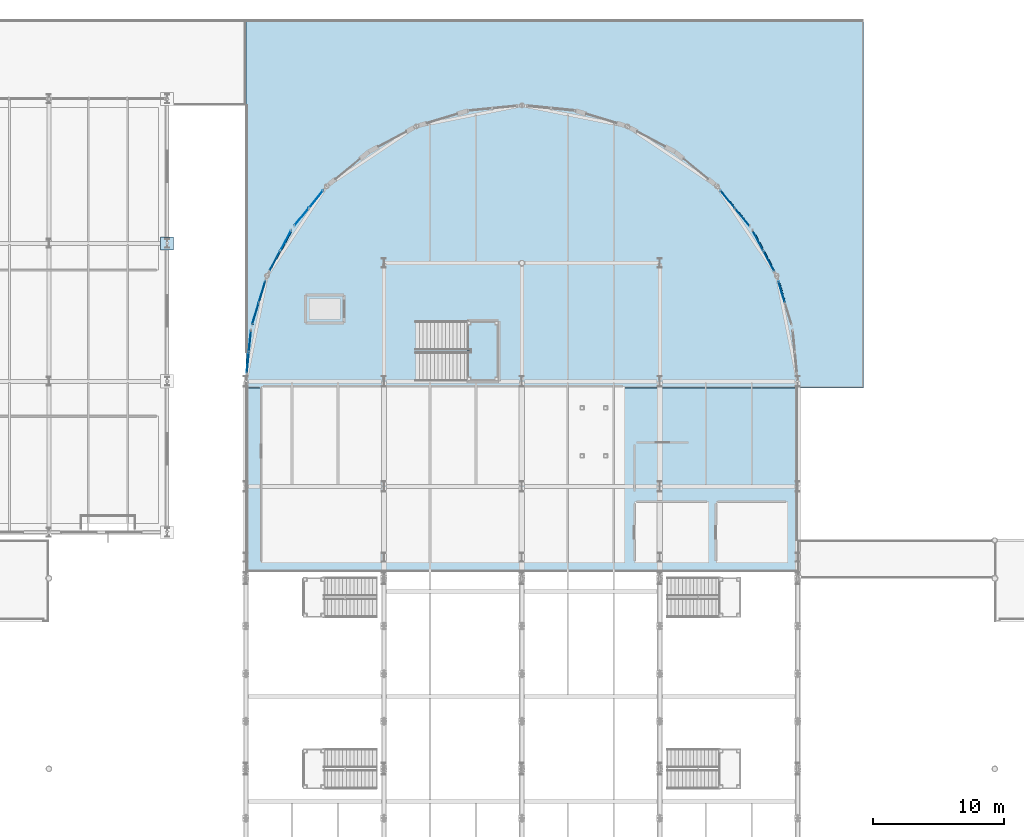
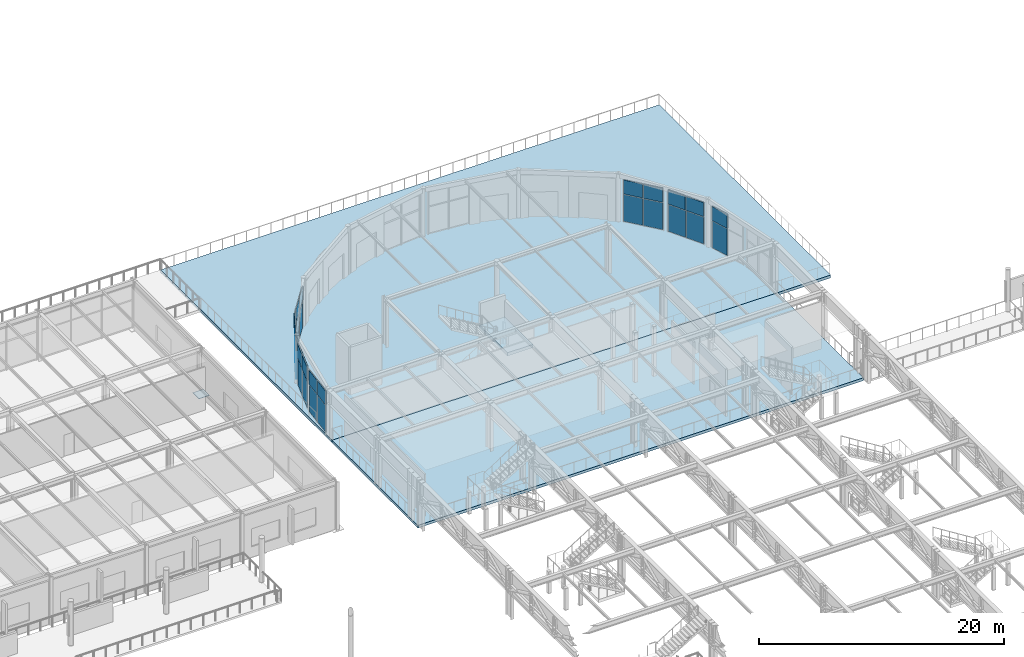
# One storey, part 74 of 143: 27 plates, 3 slabs, 8 elements without a shape of their own.
"""IFC4 building model written with IfcOpenShell, lengths in metres."""

from ifc_helpers import new_model, si_unit, direction, frame, origin, origin_2d, place, context, subcontext, project, spatial, polyline, rectangle, outline, extrude, material, layer, layer_set, type_object, element, aggregate, save


model = new_model("IFC4")

# Units and contexts
model_context = context("Model", 3, precision=1e-05, world=origin(), true_north=direction((0.0, 1.0)))
body_context = subcontext(model_context, "Body", "Model", "MODEL_VIEW")
ifc_project = project(units=[si_unit("LENGTHUNIT", "METRE"), si_unit("AREAUNIT", "SQUARE_METRE"), si_unit("VOLUMEUNIT", "CUBIC_METRE"), si_unit("PLANEANGLEUNIT", "RADIAN"), si_unit("MASSUNIT", "GRAM", prefix="KILO")], contexts=[model_context])

# Site, building, storey
site_placement = place(None, origin())
site = spatial("IfcSite", under=ifc_project, at=site_placement, CompositionType="ELEMENT")
building_placement = place(site_placement, origin())
building = spatial("IfcBuilding", under=site, at=building_placement, Name="Marlcrest Central Station", CompositionType="ELEMENT")
storey_placement = place(building_placement, frame((0.0, 0.0, 4.800048828125)))
storey = spatial("IfcBuildingStorey", under=building, at=storey_placement, Name="L01", CompositionType="ELEMENT", Elevation=4.800048828125)

# Plate
ifc_material_1 = material(Name="Steel S355", Category="steel")
ifc_layer_1 = layer(ifc_material_1, 0.0380859375, Name="BPL-02")
ifc_layer_set_1 = layer_set([ifc_layer_1], Name="Steel S355")
plate_type_1 = type_object("IfcPlateType", Name="BPL-02", PredefinedType="USERDEFINED", material=ifc_layer_set_1)
plate_1_placement = place(storey_placement, frame((81.0, 121.0, 0.0), z_axis=(0.0, 0.0, 1.0), x_axis=(1.0, 0.0, 0.0)))
element("IfcPlate", 1, at=plate_1_placement, inside=storey, type_object=plate_type_1, Name="plt-bp-00042", ObjectType="BASE_PLATE", PredefinedType="USERDEFINED", context=body_context, shape_type="SweptSolid", body=[
    extrude(rectangle(XDim=1.0, YDim=1.0, at=origin_2d()), origin(), (0.0, 0.0, 1.0), 0.0380859375),
])

# Slabs
ifc_material_2 = material(Name="Concrete C35/45", Category="concrete")
ifc_layer_2 = layer(ifc_material_2, 0.27490234375, Name="BS-04")
ifc_layer_set_2 = layer_set([ifc_layer_2], Name="Concrete C35/45")
slab_type_1 = type_object("IfcSlabType", Name="BS-04", PredefinedType="BASESLAB", material=ifc_layer_set_2)
slab_1_placement = place(storey_placement, frame((0.0, 0.0, -0.275146484375)))
element("IfcSlab", 2, at=slab_1_placement, inside=storey, type_object=slab_type_1, Name="slab-L01-0024", PredefinedType="BASESLAB", context=body_context, shape_type="SweptSolid", body=[
    extrude(outline(polyline([(134.0, 138.0), (134.0, 110.0), (87.0, 110.0), (87.0, 138.0), (134.0, 138.0)])), origin(), (0.0, 0.0, 1.0), 0.275146484375),
])
slab_2_placement = place(storey_placement, frame((0.0, 0.0, -0.275146484375)))
element("IfcSlab", 3, at=slab_2_placement, inside=storey, type_object=slab_type_1, Name="slab-L01-0094", PredefinedType="BASESLAB", context=body_context, shape_type="SweptSolid", body=[
    extrude(outline(polyline([(87.0, 96.0), (87.0, 110.0), (129.0, 110.0), (129.0, 96.0), (87.0, 96.0)])), origin(), (0.0, 0.0, 1.0), 0.275146484375),
])

# Curtain wall, plates
ifc_material_3 = material(Name="Anodised aluminium and hurricane laminated glass", Category="aluminium")
ifc_layer_3 = layer(ifc_material_3, 0.219970703125, Name="CW-U1")
ifc_layer_set_3 = layer_set([ifc_layer_3], Name="Anodised aluminium and hurricane laminated glass")
curtain_wall_type = type_object("IfcCurtainWallType", Name="CW-U1", PredefinedType="USERDEFINED", material=ifc_layer_set_3)
curtain_wall_1_placement = place(storey_placement, origin())
curtain_wall_1 = element("IfcCurtainWall", 4, at=curtain_wall_1_placement, inside=storey, type_object=curtain_wall_type, Name="cw-L01-0057", ObjectType="UNITISED_CURTAIN_WALL", PredefinedType="USERDEFINED")
ifc_material_4 = material(Name="Hurricane laminated solar-control glass", Category="glass")
ifc_layer_4 = layer(ifc_material_4, 0.031982421875, Name="CP-01")
ifc_layer_set_4 = layer_set([ifc_layer_4], Name="Hurricane laminated solar-control glass")
plate_type_2 = type_object("IfcPlateType", Name="CP-01", PredefinedType="CURTAIN_PANEL", material=ifc_layer_set_4)
plate_2_placement = place(storey_placement, frame((87.14013671875, 111.92138671875, 0.080078125), z_axis=(0.0, 0.0, 1.0), x_axis=(0.098138724349, 0.995172744192, 0.0)))
plate_2 = element("IfcPlate", 5, at=plate_2_placement, type_object=plate_type_2, Name="cw-L01-0057-cp-lo-0", PredefinedType="CURTAIN_PANEL", context=body_context, shape_type="SweptSolid", body=[
    extrude(rectangle(XDim=1.5791015625, YDim=0.031982421875, at=origin_2d()), origin(), (0.0, 0.0, 1.0), 2.675048828125),
])
plate_3_placement = place(storey_placement, frame((87.302490234375, 113.568603515625, 0.080078125), z_axis=(0.0, 0.0, 1.0), x_axis=(0.098138724349, 0.995172744192, 0.0)))
plate_3 = element("IfcPlate", 6, at=plate_3_placement, type_object=plate_type_2, Name="cw-L01-0057-cp-lo-1", PredefinedType="CURTAIN_PANEL", context=body_context, shape_type="SweptSolid", body=[
    extrude(rectangle(XDim=1.5791015625, YDim=0.031982421875, at=origin_2d()), origin(), (0.0, 0.0, 1.0), 2.675048828125),
])

curtain_wall_2_placement = place(storey_placement, origin())
curtain_wall_2 = element("IfcCurtainWall", 7, at=curtain_wall_2_placement, inside=storey, type_object=curtain_wall_type, Name="cw-L01-0058", ObjectType="UNITISED_CURTAIN_WALL", PredefinedType="USERDEFINED")
plate_4_placement = place(storey_placement, frame((87.71826171875, 115.6328125, 0.080078125), z_axis=(0.0, 0.0, 1.0), x_axis=(0.290318080597, 0.956930202302, 0.0)))
plate_4 = element("IfcPlate", 8, at=plate_4_placement, type_object=plate_type_2, Name="cw-L01-0058-cp-lo-0", PredefinedType="CURTAIN_PANEL", context=body_context, shape_type="SweptSolid", body=[
    extrude(rectangle(XDim=1.67724609375, YDim=0.031982421875, at=origin_2d()), origin(), (0.0, 0.0, 1.0), 2.675048828125),
])
plate_5_placement = place(storey_placement, frame((88.227294921875, 117.310546875, 0.080078125), z_axis=(0.0, 0.0, 1.0), x_axis=(0.290318080597, 0.956930202302, 0.0)))
plate_5 = element("IfcPlate", 9, at=plate_5_placement, type_object=plate_type_2, Name="cw-L01-0058-cp-lo-1", PredefinedType="CURTAIN_PANEL", context=body_context, shape_type="SweptSolid", body=[
    extrude(rectangle(XDim=1.67724609375, YDim=0.031982421875, at=origin_2d()), origin(), (0.0, 0.0, 1.0), 2.675048828125),
])

curtain_wall_3_placement = place(storey_placement, origin())
curtain_wall_3 = element("IfcCurtainWall", 10, at=curtain_wall_3_placement, inside=storey, type_object=curtain_wall_type, Name="cw-L01-0059", ObjectType="UNITISED_CURTAIN_WALL", PredefinedType="USERDEFINED")
plate_6_placement = place(storey_placement, frame((89.20263671875, 119.66552734375, 0.080078125), z_axis=(0.0, 0.0, 1.0), x_axis=(0.471242805349, 0.882003525167, 0.0)))
plate_6 = element("IfcPlate", 11, at=plate_6_placement, type_object=plate_type_2, Name="cw-L01-0059-cp-lo-0", PredefinedType="CURTAIN_PANEL", context=body_context, shape_type="SweptSolid", body=[
    extrude(rectangle(XDim=1.677490234375, YDim=0.031982421875, at=origin_2d()), origin(), (0.0, 0.0, 1.0), 2.675048828125),
])
plate_7_placement = place(storey_placement, frame((90.02880859375, 121.212158203125, 0.080078125), z_axis=(0.0, 0.0, 1.0), x_axis=(0.471242805349, 0.882003525167, 0.0)))
plate_7 = element("IfcPlate", 12, at=plate_7_placement, type_object=plate_type_2, Name="cw-L01-0059-cp-lo-1", PredefinedType="CURTAIN_PANEL", context=body_context, shape_type="SweptSolid", body=[
    extrude(rectangle(XDim=1.677490234375, YDim=0.031982421875, at=origin_2d()), origin(), (0.0, 0.0, 1.0), 2.675048828125),
])

curtain_wall_4_placement = place(storey_placement, origin())
curtain_wall_4 = element("IfcCurtainWall", 13, at=curtain_wall_4_placement, inside=storey, type_object=curtain_wall_type, Name="cw-L01-0060", ObjectType="UNITISED_CURTAIN_WALL", PredefinedType="USERDEFINED")
plate_8_placement = place(storey_placement, frame((91.225830078125, 123.00390625, 0.080078125), z_axis=(0.0, 0.0, 1.0), x_axis=(0.63447423015, 0.772944015615, 0.0)))
plate_8 = element("IfcPlate", 14, at=plate_8_placement, type_object=plate_type_2, Name="cw-L01-0060-cp-lo-0", PredefinedType="CURTAIN_PANEL", context=body_context, shape_type="SweptSolid", body=[
    extrude(rectangle(XDim=1.677490234375, YDim=0.031982421875, at=origin_2d()), origin(), (0.0, 0.0, 1.0), 2.675048828125),
])
plate_9_placement = place(storey_placement, frame((92.33837890625, 124.359130859375, 0.080078125), z_axis=(0.0, 0.0, 1.0), x_axis=(0.63447423015, 0.772944015615, 0.0)))
plate_9 = element("IfcPlate", 15, at=plate_9_placement, type_object=plate_type_2, Name="cw-L01-0060-cp-lo-1", PredefinedType="CURTAIN_PANEL", context=body_context, shape_type="SweptSolid", body=[
    extrude(rectangle(XDim=1.677490234375, YDim=0.031982421875, at=origin_2d()), origin(), (0.0, 0.0, 1.0), 2.675048828125),
])

curtain_wall_5_placement = place(storey_placement, origin())
curtain_wall_5 = element("IfcCurtainWall", 16, at=curtain_wall_5_placement, inside=storey, type_object=curtain_wall_type, Name="cw-L01-0063", ObjectType="UNITISED_CURTAIN_WALL", PredefinedType="USERDEFINED")
plate_10_placement = place(storey_placement, frame((123.66162109375, 124.359130859375, 0.080078125), z_axis=(0.0, 0.0, 1.0), x_axis=(0.63447423015, -0.772944015615, 0.0)))
plate_10 = element("IfcPlate", 17, at=plate_10_placement, type_object=plate_type_2, Name="cw-L01-0063-cp-lo-0", PredefinedType="CURTAIN_PANEL", context=body_context, shape_type="SweptSolid", body=[
    extrude(rectangle(XDim=1.677490234375, YDim=0.031982421875, at=origin_2d()), origin(), (0.0, 0.0, 1.0), 2.675048828125),
])
plate_11_placement = place(storey_placement, frame((124.774169921875, 123.00390625, 0.080078125), z_axis=(0.0, 0.0, 1.0), x_axis=(0.63447423015, -0.772944015615, 0.0)))
plate_11 = element("IfcPlate", 18, at=plate_11_placement, type_object=plate_type_2, Name="cw-L01-0063-cp-lo-1", PredefinedType="CURTAIN_PANEL", context=body_context, shape_type="SweptSolid", body=[
    extrude(rectangle(XDim=1.677490234375, YDim=0.031982421875, at=origin_2d()), origin(), (0.0, 0.0, 1.0), 2.675048828125),
])

curtain_wall_6_placement = place(storey_placement, origin())
curtain_wall_6 = element("IfcCurtainWall", 19, at=curtain_wall_6_placement, inside=storey, type_object=curtain_wall_type, Name="cw-L01-0064", ObjectType="UNITISED_CURTAIN_WALL", PredefinedType="USERDEFINED")
plate_12_placement = place(storey_placement, frame((125.97119140625, 121.212158203125, 0.080078125), z_axis=(0.0, 0.0, 1.0), x_axis=(0.471242805349, -0.882003525167, 0.0)))
plate_12 = element("IfcPlate", 20, at=plate_12_placement, type_object=plate_type_2, Name="cw-L01-0064-cp-lo-0", PredefinedType="CURTAIN_PANEL", context=body_context, shape_type="SweptSolid", body=[
    extrude(rectangle(XDim=1.677490234375, YDim=0.031982421875, at=origin_2d()), origin(), (0.0, 0.0, 1.0), 2.675048828125),
])
plate_13_placement = place(storey_placement, frame((126.79736328125, 119.66552734375, 0.080078125), z_axis=(0.0, 0.0, 1.0), x_axis=(0.471242805349, -0.882003525167, 0.0)))
plate_13 = element("IfcPlate", 21, at=plate_13_placement, type_object=plate_type_2, Name="cw-L01-0064-cp-lo-1", PredefinedType="CURTAIN_PANEL", context=body_context, shape_type="SweptSolid", body=[
    extrude(rectangle(XDim=1.677490234375, YDim=0.031982421875, at=origin_2d()), origin(), (0.0, 0.0, 1.0), 2.675048828125),
])

# Curtain wall, plate
curtain_wall_7_placement = place(storey_placement, origin())
curtain_wall_7 = element("IfcCurtainWall", 22, at=curtain_wall_7_placement, inside=storey, type_object=curtain_wall_type, Name="cw-L01-0065", ObjectType="UNITISED_CURTAIN_WALL", PredefinedType="USERDEFINED")
plate_14_placement = place(storey_placement, frame((127.772705078125, 117.310546875, 0.080078125), z_axis=(0.0, 0.0, 1.0), x_axis=(0.290318080597, -0.956930202302, 0.0)))
plate_14 = element("IfcPlate", 23, at=plate_14_placement, type_object=plate_type_2, Name="cw-L01-0065-cp-lo-0", PredefinedType="CURTAIN_PANEL", context=body_context, shape_type="SweptSolid", body=[
    extrude(rectangle(XDim=1.67724609375, YDim=0.031982421875, at=origin_2d()), origin(), (0.0, 0.0, 1.0), 2.675048828125),
])

# Plate
ifc_material_5 = material(Name="Insulated bronze-anodised aluminium spandrel panel", Category="aluminium")
ifc_layer_5 = layer(ifc_material_5, 0.06005859375, Name="CP-04")
ifc_layer_set_5 = layer_set([ifc_layer_5], Name="Insulated bronze-anodised aluminium spandrel panel")
plate_type_3 = type_object("IfcPlateType", Name="CP-04", PredefinedType="CURTAIN_PANEL", material=ifc_layer_set_5)
plate_15_placement = place(storey_placement, frame((91.225830078125, 123.00390625, 2.8349609375), z_axis=(0.0, 0.0, 1.0), x_axis=(0.63447423015, 0.772944015615, 0.0)))
plate_15 = element("IfcPlate", 24, at=plate_15_placement, type_object=plate_type_3, Name="cw-L01-0060-cp-hi-0", PredefinedType="CURTAIN_PANEL", context=body_context, shape_type="SweptSolid", body=[
    extrude(rectangle(XDim=1.677490234375, YDim=0.06005859375, at=origin_2d()), origin(), (0.0, 0.0, 1.0), 1.385009765625),
])

plate_16_placement = place(storey_placement, frame((92.33837890625, 124.359130859375, 2.8349609375), z_axis=(0.0, 0.0, 1.0), x_axis=(0.63447423015, 0.772944015615, 0.0)))
plate_16 = element("IfcPlate", 25, at=plate_16_placement, type_object=plate_type_3, Name="cw-L01-0060-cp-hi-1", PredefinedType="CURTAIN_PANEL", context=body_context, shape_type="SweptSolid", body=[
    extrude(rectangle(XDim=1.677490234375, YDim=0.06005859375, at=origin_2d()), origin(), (0.0, 0.0, 1.0), 1.385009765625),
])

aggregate(curtain_wall_4, [plate_8, plate_15, plate_9, plate_16])

ifc_material_6 = material(Name="Insulated hurricane-rated spandrel panel")
ifc_layer_6 = layer(ifc_material_6, 0.090087890625, Name="CP-07")
ifc_layer_set_6 = layer_set([ifc_layer_6], Name="Insulated hurricane-rated spandrel panel")
plate_type_4 = type_object("IfcPlateType", Name="CP-07", PredefinedType="CURTAIN_PANEL", material=ifc_layer_set_6)
plate_17_placement = place(storey_placement, frame((87.14013671875, 111.92138671875, 2.8349609375), z_axis=(0.0, 0.0, 1.0), x_axis=(0.098138724349, 0.995172744192, 0.0)))
plate_17 = element("IfcPlate", 26, at=plate_17_placement, type_object=plate_type_4, Name="cw-L01-0057-cp-hi-0", PredefinedType="CURTAIN_PANEL", context=body_context, shape_type="SweptSolid", body=[
    extrude(rectangle(XDim=1.5791015625, YDim=0.090087890625, at=origin_2d()), origin(), (0.0, 0.0, 1.0), 1.385009765625),
])

plate_18_placement = place(storey_placement, frame((87.302490234375, 113.568603515625, 2.8349609375), z_axis=(0.0, 0.0, 1.0), x_axis=(0.098138724349, 0.995172744192, 0.0)))
plate_18 = element("IfcPlate", 27, at=plate_18_placement, type_object=plate_type_4, Name="cw-L01-0057-cp-hi-1", PredefinedType="CURTAIN_PANEL", context=body_context, shape_type="SweptSolid", body=[
    extrude(rectangle(XDim=1.5791015625, YDim=0.090087890625, at=origin_2d()), origin(), (0.0, 0.0, 1.0), 1.385009765625),
])

aggregate(curtain_wall_1, [plate_2, plate_17, plate_3, plate_18])

plate_19_placement = place(storey_placement, frame((123.66162109375, 124.359130859375, 2.8349609375), z_axis=(0.0, 0.0, 1.0), x_axis=(0.63447423015, -0.772944015615, 0.0)))
plate_19 = element("IfcPlate", 28, at=plate_19_placement, type_object=plate_type_4, Name="cw-L01-0063-cp-hi-0", PredefinedType="CURTAIN_PANEL", context=body_context, shape_type="SweptSolid", body=[
    extrude(rectangle(XDim=1.677490234375, YDim=0.090087890625, at=origin_2d()), origin(), (0.0, 0.0, 1.0), 1.385009765625),
])

plate_20_placement = place(storey_placement, frame((124.774169921875, 123.00390625, 2.8349609375), z_axis=(0.0, 0.0, 1.0), x_axis=(0.63447423015, -0.772944015615, 0.0)))
plate_20 = element("IfcPlate", 29, at=plate_20_placement, type_object=plate_type_4, Name="cw-L01-0063-cp-hi-1", PredefinedType="CURTAIN_PANEL", context=body_context, shape_type="SweptSolid", body=[
    extrude(rectangle(XDim=1.677490234375, YDim=0.090087890625, at=origin_2d()), origin(), (0.0, 0.0, 1.0), 1.385009765625),
])

aggregate(curtain_wall_5, [plate_10, plate_19, plate_11, plate_20])

ifc_material_7 = material(Name="Insulated shadow-box spandrel panel")
ifc_layer_7 = layer(ifc_material_7, 0.10498046875, Name="CP-08")
ifc_layer_set_7 = layer_set([ifc_layer_7], Name="Insulated shadow-box spandrel panel")
plate_type_5 = type_object("IfcPlateType", Name="CP-08", PredefinedType="CURTAIN_PANEL", material=ifc_layer_set_7)
plate_21_placement = place(storey_placement, frame((87.71826171875, 115.6328125, 2.8349609375), z_axis=(0.0, 0.0, 1.0), x_axis=(0.290318080597, 0.956930202302, 0.0)))
plate_21 = element("IfcPlate", 30, at=plate_21_placement, type_object=plate_type_5, Name="cw-L01-0058-cp-hi-0", PredefinedType="CURTAIN_PANEL", context=body_context, shape_type="SweptSolid", body=[
    extrude(rectangle(XDim=1.67724609375, YDim=0.10498046875, at=origin_2d()), origin(), (0.0, 0.0, 1.0), 1.385009765625),
])

plate_22_placement = place(storey_placement, frame((88.227294921875, 117.310546875, 2.8349609375), z_axis=(0.0, 0.0, 1.0), x_axis=(0.290318080597, 0.956930202302, 0.0)))
plate_22 = element("IfcPlate", 31, at=plate_22_placement, type_object=plate_type_5, Name="cw-L01-0058-cp-hi-1", PredefinedType="CURTAIN_PANEL", context=body_context, shape_type="SweptSolid", body=[
    extrude(rectangle(XDim=1.67724609375, YDim=0.10498046875, at=origin_2d()), origin(), (0.0, 0.0, 1.0), 1.385009765625),
])

aggregate(curtain_wall_2, [plate_4, plate_21, plate_5, plate_22])

plate_23_placement = place(storey_placement, frame((125.97119140625, 121.212158203125, 2.8349609375), z_axis=(0.0, 0.0, 1.0), x_axis=(0.471242805349, -0.882003525167, 0.0)))
plate_23 = element("IfcPlate", 32, at=plate_23_placement, type_object=plate_type_5, Name="cw-L01-0064-cp-hi-0", PredefinedType="CURTAIN_PANEL", context=body_context, shape_type="SweptSolid", body=[
    extrude(rectangle(XDim=1.677490234375, YDim=0.10498046875, at=origin_2d()), origin(), (0.0, 0.0, 1.0), 1.385009765625),
])

plate_24_placement = place(storey_placement, frame((126.79736328125, 119.66552734375, 2.8349609375), z_axis=(0.0, 0.0, 1.0), x_axis=(0.471242805349, -0.882003525167, 0.0)))
plate_24 = element("IfcPlate", 33, at=plate_24_placement, type_object=plate_type_5, Name="cw-L01-0064-cp-hi-1", PredefinedType="CURTAIN_PANEL", context=body_context, shape_type="SweptSolid", body=[
    extrude(rectangle(XDim=1.677490234375, YDim=0.10498046875, at=origin_2d()), origin(), (0.0, 0.0, 1.0), 1.385009765625),
])

aggregate(curtain_wall_6, [plate_12, plate_23, plate_13, plate_24])

ifc_material_8 = material(Name="Insulated fire-safing spandrel panel")
ifc_layer_8 = layer(ifc_material_8, 0.1201171875, Name="CP-09")
ifc_layer_set_8 = layer_set([ifc_layer_8], Name="Insulated fire-safing spandrel panel")
plate_type_6 = type_object("IfcPlateType", Name="CP-09", PredefinedType="CURTAIN_PANEL", material=ifc_layer_set_8)
plate_25_placement = place(storey_placement, frame((89.20263671875, 119.66552734375, 2.8349609375), z_axis=(0.0, 0.0, 1.0), x_axis=(0.471242805349, 0.882003525167, 0.0)))
plate_25 = element("IfcPlate", 34, at=plate_25_placement, type_object=plate_type_6, Name="cw-L01-0059-cp-hi-0", PredefinedType="CURTAIN_PANEL", context=body_context, shape_type="SweptSolid", body=[
    extrude(rectangle(XDim=1.677490234375, YDim=0.1201171875, at=origin_2d()), origin(), (0.0, 0.0, 1.0), 1.385009765625),
])

plate_26_placement = place(storey_placement, frame((90.02880859375, 121.212158203125, 2.8349609375), z_axis=(0.0, 0.0, 1.0), x_axis=(0.471242805349, 0.882003525167, 0.0)))
plate_26 = element("IfcPlate", 35, at=plate_26_placement, type_object=plate_type_6, Name="cw-L01-0059-cp-hi-1", PredefinedType="CURTAIN_PANEL", context=body_context, shape_type="SweptSolid", body=[
    extrude(rectangle(XDim=1.677490234375, YDim=0.1201171875, at=origin_2d()), origin(), (0.0, 0.0, 1.0), 1.385009765625),
])

aggregate(curtain_wall_3, [plate_6, plate_25, plate_7, plate_26])

plate_27_placement = place(storey_placement, frame((127.772705078125, 117.310546875, 2.8349609375), z_axis=(0.0, 0.0, 1.0), x_axis=(0.290318080597, -0.956930202302, 0.0)))
plate_27 = element("IfcPlate", 36, at=plate_27_placement, type_object=plate_type_6, Name="cw-L01-0065-cp-hi-0", PredefinedType="CURTAIN_PANEL", context=body_context, shape_type="SweptSolid", body=[
    extrude(rectangle(XDim=1.67724609375, YDim=0.1201171875, at=origin_2d()), origin(), (0.0, 0.0, 1.0), 1.385009765625),
])

aggregate(curtain_wall_7, [plate_14, plate_27])

# Stair, slab
stair_type = type_object("IfcStairType", Name="ST-HTW", PredefinedType="HALF_TURN_STAIR", material=ifc_material_2)
stair_placement = place(storey_placement, origin())
stair = element("IfcStair", 37, at=stair_placement, inside=storey, type_object=stair_type, Name="ST-N11", PredefinedType="HALF_TURN_STAIR")
ifc_layer_9 = layer(ifc_material_2, 0.320068359375, Name="LS-01")
ifc_layer_set_9 = layer_set([ifc_layer_9], Name="Concrete C35/45")
slab_type_2 = type_object("IfcSlabType", Name="LS-01", PredefinedType="LANDING", material=ifc_layer_set_9)
slab_3_placement = place(storey_placement, frame((0.0, 0.0, 2.179931640625)))
slab_3 = element("IfcSlab", 38, at=slab_3_placement, type_object=slab_type_2, Name="ST-N11-L1", PredefinedType="LANDING", context=body_context, shape_type="SweptSolid", body=[
    extrude(outline(polyline([(103.830078125, 110.52001953125), (106.22998046875, 110.52001953125), (106.22998046875, 115.080078125), (103.830078125, 115.080078125), (103.830078125, 112.860107421875), (104.080078125, 112.860107421875), (104.080078125, 112.739990234375), (103.830078125, 112.739990234375), (103.830078125, 110.52001953125)])), origin(), (0.0, 0.0, 1.0), 0.320068359375),
])
aggregate(stair, [slab_3])

save(model, "model.ifc")
